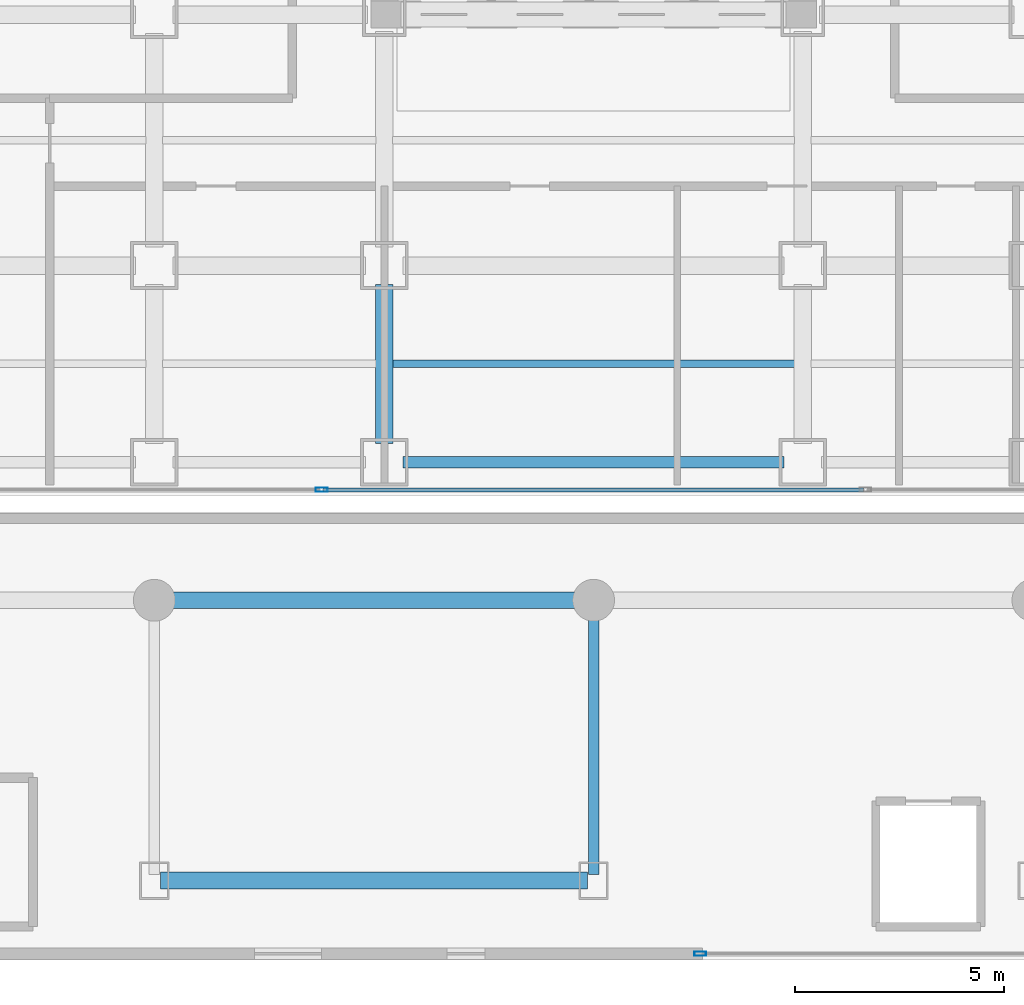
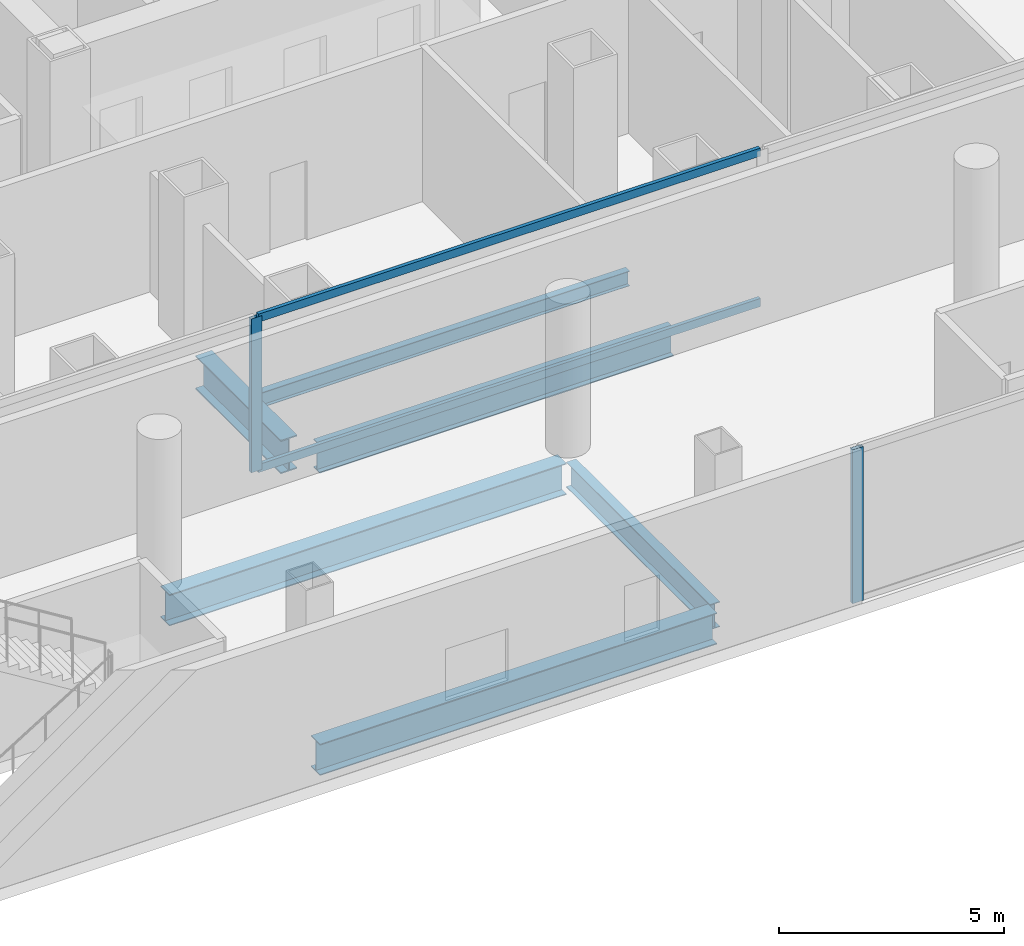
# One storey, part 7 of 27: 6 beams, 4 members, 2 elements without a shape of their own.
"""IFC4 building model written with IfcOpenShell, lengths in metres."""

import ifcopenshell
import ifcopenshell.guid

model = None  # the IFC model being written
_history = None  # IfcOwnerHistory: only IFC2X3 demands one
_inside = {}  # id of a spatial element -> (the spatial element, [elements in it])
_under = {}  # id of a project, library or spatial element -> (it, [spatial elements below it])
_declared = {}  # id of a project -> (the project, [libraries it declares])
_typed = {}  # id of a type object -> (the type object, [elements of that type])
_made_of = {}  # id of a material, layer set ... -> (it, [elements and type objects made of it])


def new_model(schema):
    """Start an empty IFC model of exactly this schema.

    Asked for "IFC4X3", IfcOpenShell would pick the latest addendum, in which some entities
    have other attributes; the version numbers below select the first issue.
    IFC2X3 requires an IfcOwnerHistory on every rooted entity: one is made here for all.
    """
    global model, _history
    if schema == "IFC4X3":
        model = ifcopenshell.file(schema_version=(4, 3, 0, 0))
    else:
        model = ifcopenshell.file(schema=schema)
    _inside.clear()
    _under.clear()
    _declared.clear()
    _typed.clear()
    _made_of.clear()
    _history = None
    if model.schema == "IFC2X3":
        org = make("IfcOrganization", Name="unknown")
        user = make(
            "IfcPersonAndOrganization",
            ThePerson=make("IfcPerson", FamilyName="unknown"),
            TheOrganization=org,
        )
        app = make(
            "IfcApplication",
            ApplicationDeveloper=org,
            Version="unknown",
            ApplicationFullName="unknown",
            ApplicationIdentifier="unknown",
        )
        _history = make(
            "IfcOwnerHistory",
            OwningUser=user,
            OwningApplication=app,
            ChangeAction="ADDED",
            CreationDate=0,
        )
    return model


def make(cls, **values):
    """One entity of the class cls with the attributes given. An attribute that is None is left unset."""
    return model.create_entity(
        cls, **{name: value for name, value in values.items() if value is not None}
    )


def rooted(cls, **values):
    """An entity with a GlobalId (a new one), such as an element, a storey or a relation."""
    return make(cls, GlobalId=ifcopenshell.guid.new(), OwnerHistory=_history, **values)


def si_unit(unit_type, name, prefix=None):
    """IfcSIUnit, for example si_unit("LENGTHUNIT", "METRE", prefix="MILLI")."""
    return make("IfcSIUnit", UnitType=unit_type, Prefix=prefix, Name=name)


def assignment(units):
    """IfcUnitAssignment: the units of a project."""
    return None if units is None else make("IfcUnitAssignment", Units=units)


def point(xyz):
    """IfcCartesianPoint."""
    return None if xyz is None else make("IfcCartesianPoint", Coordinates=xyz)


def direction(xyz):
    """IfcDirection."""
    return None if xyz is None else make("IfcDirection", DirectionRatios=xyz)


def frame(location, z_axis=None, x_axis=None):
    """IfcAxis2Placement3D, a coordinate frame: its origin and axes. An axis left out is left unset."""
    return make(
        "IfcAxis2Placement3D",
        Location=point(location),
        Axis=direction(z_axis),
        RefDirection=direction(x_axis),
    )


def frame_2d(location, x_axis=None):
    """IfcAxis2Placement2D, a coordinate frame in the plane: its origin and x axis."""
    return make(
        "IfcAxis2Placement2D", Location=point(location), RefDirection=direction(x_axis)
    )


def origin():
    """The frame at (0, 0, 0) with its axes left unset."""
    return frame((0.0, 0.0, 0.0))


def origin_2d():
    """The frame at (0, 0) in the plane with its x axis left unset."""
    return frame_2d((0.0, 0.0))


def place(relative_to, where):
    """IfcLocalPlacement: puts the frame where relative to a parent placement (None: the world)."""
    return make(
        "IfcLocalPlacement", PlacementRelTo=relative_to, RelativePlacement=where
    )


def context(
    kind, dimensions, precision=None, world=None, true_north=None, identifier=None
):
    """IfcGeometricRepresentationContext, for example the 3D "Model" context."""
    return make(
        "IfcGeometricRepresentationContext",
        ContextIdentifier=identifier,
        ContextType=kind,
        CoordinateSpaceDimension=dimensions,
        Precision=precision,
        WorldCoordinateSystem=world,
        TrueNorth=true_north,
    )


def subcontext(parent, identifier, kind, view, scale=None):
    """IfcGeometricRepresentationSubContext, for example "Body" below "Model"."""
    return make(
        "IfcGeometricRepresentationSubContext",
        ContextIdentifier=identifier,
        ContextType=kind,
        ParentContext=parent,
        TargetScale=scale,
        TargetView=view,
    )


def project(units=None, contexts=None):
    """IfcProject with its units and contexts."""
    return rooted(
        "IfcProject",
        Name="project",
        RepresentationContexts=contexts,
        UnitsInContext=assignment(units),
    )


def spatial(cls, under=None, at=None, **own):
    """A site, building, storey or space (cls), placed at a placement, below another one or the project."""
    s = rooted(cls, ObjectPlacement=at, **own)
    if under is not None:
        _under.setdefault(under.id(), (under, []))[1].append(s)
    return s


def profile(cls, at=None, kind="AREA", **sizes):
    """A parametric profile (cls). Its sizes go by their IFC names, for example OverallWidth=200.0."""
    return make(cls, ProfileType=kind, Position=at, **sizes)


def hollow_rectangle(**sizes):
    """IfcRectangleHollowProfileDef."""
    return profile("IfcRectangleHollowProfileDef", **sizes)


def i_section(**sizes):
    """IfcIShapeProfileDef."""
    return profile("IfcIShapeProfileDef", **sizes)


def extrude(swept, where, along, depth):
    """IfcExtrudedAreaSolid: the profile swept, set in the frame where, extruded along a direction by depth."""
    return make(
        "IfcExtrudedAreaSolid",
        SweptArea=swept,
        Position=where,
        ExtrudedDirection=direction(along),
        Depth=depth,
    )


def shape(context_of_items, identifier, shape_type, items):
    """IfcShapeRepresentation: the items that make up one representation, for example the "Body"."""
    return make(
        "IfcShapeRepresentation",
        ContextOfItems=context_of_items,
        RepresentationIdentifier=identifier,
        RepresentationType=shape_type,
        Items=items,
    )


def source(mapping_origin, context_of_items, identifier, shape_type, items):
    """IfcRepresentationMap: a shape defined once, which mapped items show again and again."""
    return make(
        "IfcRepresentationMap",
        MappingOrigin=mapping_origin,
        MappedRepresentation=shape(context_of_items, identifier, shape_type, items),
    )


def transform(
    local_origin,
    x_axis=None,
    y_axis=None,
    z_axis=None,
    scale=None,
    scale2=None,
    scale3=None,
    uniform=True,
):
    """IfcCartesianTransformationOperator3D, or its non-uniform kind. x_axis, y_axis, z_axis: its Axis1, 2, 3."""
    if uniform:
        return make(
            "IfcCartesianTransformationOperator3D",
            Axis1=direction(x_axis),
            Axis2=direction(y_axis),
            LocalOrigin=point(local_origin),
            Scale=scale,
            Axis3=direction(z_axis),
        )
    return make(
        "IfcCartesianTransformationOperator3DnonUniform",
        Axis1=direction(x_axis),
        Axis2=direction(y_axis),
        LocalOrigin=point(local_origin),
        Scale=scale,
        Axis3=direction(z_axis),
        Scale2=scale2,
        Scale3=scale3,
    )


def mapped(mapping_source, mapping_target):
    """IfcMappedItem: shows the shape of a source again, moved by a transform."""
    return make(
        "IfcMappedItem", MappingSource=mapping_source, MappingTarget=mapping_target
    )


def material(Name=None, Category=None):
    """IfcMaterial."""
    return make("IfcMaterial", Name=Name, Category=Category)


def layer(
    of_material, thickness, ventilated=None, Name=None, Category=None, Priority=None
):
    """IfcMaterialLayer: one layer of a wall or slab, of a material (None: an air gap)."""
    return make(
        "IfcMaterialLayer",
        Material=of_material,
        LayerThickness=thickness,
        IsVentilated=ventilated,
        Name=Name,
        Category=Category,
        Priority=Priority,
    )


def layer_set(layers, Name=None):
    """IfcMaterialLayerSet."""
    return make("IfcMaterialLayerSet", MaterialLayers=layers, LayerSetName=Name)


def material_profile(
    of_material, cross_section, Name=None, Category=None, Priority=None
):
    """IfcMaterialProfile: a cross section and its material."""
    return make(
        "IfcMaterialProfile",
        Name=Name,
        Material=of_material,
        Profile=cross_section,
        Priority=Priority,
        Category=Category,
    )


def profile_set(profiles, Name=None, composite=None):
    """IfcMaterialProfileSet."""
    return make(
        "IfcMaterialProfileSet",
        Name=Name,
        MaterialProfiles=profiles,
        CompositeProfile=composite,
    )


def made_of(thing, what):
    """Note that an element or type object is made of a material, layer set ...; save() writes the relation."""
    if what is not None:
        _made_of.setdefault(what.id(), (what, []))[1].append(thing)
    return thing


def type_object(cls, material=None, **own):
    """A type object (cls), such as IfcWallType, which elements share."""
    return made_of(rooted(cls, **own), material)


def element(
    cls,
    number,
    at=None,
    inside=None,
    cuts=None,
    type_object=None,
    material=None,
    context=None,
    identifier="Body",
    shape_type=None,
    held_by="IfcProductDefinitionShape",
    body=None,
    shapes=None,
    **own,
):
    """One element of the class cls, such as IfcWall. Its Tag is "e" and its number.

    at: its placement. inside: the storey or other place that contains it. cuts: it is an
    opening in that element (IfcRelVoidsElement). A single representation is given by context,
    identifier, shape_type and body (its items); several are given by shapes. held_by: the class
    of the entity that holds the representations. save() writes the other relations.
    """
    e = rooted(cls, Tag="e%d" % number, ObjectPlacement=at, **own)
    if body is not None:
        shapes = [shape(context, identifier, shape_type, body)]
    if shapes is not None:
        e.Representation = make(held_by, Representations=shapes)
    if inside is not None:
        _inside.setdefault(inside.id(), (inside, []))[1].append(e)
    if cuts is not None:
        rooted(
            "IfcRelVoidsElement", RelatingBuildingElement=cuts, RelatedOpeningElement=e
        )
    if type_object is not None:
        _typed.setdefault(type_object.id(), (type_object, []))[1].append(e)
    return made_of(e, material)


def aggregate(whole, parts):
    """IfcRelAggregates: a whole, such as a stair, and the parts it consists of."""
    return rooted("IfcRelAggregates", RelatingObject=whole, RelatedObjects=parts)


def save(model, path):
    """Write the relations noted so far, then the file.

    IfcRelAggregates (storeys below a building ...), IfcRelContainedInSpatialStructure (elements
    in a storey), IfcRelDefinesByType, IfcRelAssociatesMaterial and IfcRelDeclares: one each for
    every whole, place, type object, material and project.
    """
    for whole, parts in _under.values():
        aggregate(whole, parts)
    for where, things in _inside.values():
        rooted(
            "IfcRelContainedInSpatialStructure",
            RelatedElements=things,
            RelatingStructure=where,
        )
    for kind, things in _typed.values():
        rooted("IfcRelDefinesByType", RelatedObjects=things, RelatingType=kind)
    for what, things in _made_of.values():
        rooted("IfcRelAssociatesMaterial", RelatedObjects=things, RelatingMaterial=what)
    for by, libraries in _declared.values():
        rooted("IfcRelDeclares", RelatingContext=by, RelatedDefinitions=libraries)
    model.write(path)


model = new_model("IFC4")

# Units and contexts
model_context = context("Model", 3, precision=1e-05, world=origin(), true_north=direction((0.0, 1.0)))
body_context = subcontext(model_context, "Body", "Model", "MODEL_VIEW")
ifc_project = project(units=[si_unit("LENGTHUNIT", "METRE"), si_unit("AREAUNIT", "SQUARE_METRE"), si_unit("VOLUMEUNIT", "CUBIC_METRE"), si_unit("PLANEANGLEUNIT", "RADIAN"), si_unit("MASSUNIT", "GRAM", prefix="KILO")], contexts=[model_context])

# Site, building, storey
site_placement = place(None, origin())
site = spatial("IfcSite", under=ifc_project, at=site_placement, CompositionType="ELEMENT")
building_placement = place(site_placement, origin())
building = spatial("IfcBuilding", under=site, at=building_placement, Name="Kolveth Station Tower", CompositionType="ELEMENT")
storey_placement = place(building_placement, frame((0.0, 0.0, 13.5)))
storey = spatial("IfcBuildingStorey", under=building, at=storey_placement, Name="L03", CompositionType="ELEMENT", Elevation=13.5)

# Beams
ifc_material_1 = material(Name="Steel S355", Category="steel")
ifc_material_profile_1 = material_profile(ifc_material_1, i_section(OverallWidth=0.26904296875, OverallDepth=0.77490234375, WebThickness=0.01708984375, FlangeThickness=0.0283203125, at=origin_2d()), Name="W760x220")
ifc_profile_set_1 = profile_set([ifc_material_profile_1], Name="Steel S355")
beam_type_1 = type_object("IfcBeamType", Name="Beam_SP1", PredefinedType="SPANDREL", material=ifc_profile_set_1)
shared_shape_1 = source(origin(), body_context, "Body", "SweptSolid", [
    extrude(i_section(OverallWidth=0.26904296875, OverallDepth=0.77490234375, WebThickness=0.01708984375, FlangeThickness=0.0283203125, at=origin_2d()), origin(), (0.0, 0.0, 1.0), 9.10009765625),
])
beam_1_placement = place(storey_placement, frame((18.949951171875, 0.800048828125, -0.70751953125), z_axis=(1.0, 0.0, 0.0), x_axis=(0.0, 1.0, 0.0)))
element("IfcBeam", 1, at=beam_1_placement, inside=storey, type_object=beam_type_1, Name="L03 Perimeter Spandrel BM-L03-PS-3", PredefinedType="SPANDREL", context=body_context, shape_type="MappedRepresentation", body=[
    mapped(shared_shape_1, transform((0.0, 0.0, 0.0), x_axis=(1.0, 0.0, 0.0), y_axis=(0.0, 1.0, 0.0), z_axis=(0.0, 0.0, 1.0), scale=1.0)),
])
ifc_material_profile_2 = material_profile(ifc_material_1, i_section(OverallWidth=0.41796875, OverallDepth=0.912109375, WebThickness=0.019287109375, FlangeThickness=0.031982421875, at=origin_2d()), Name="W920x342")
ifc_profile_set_2 = profile_set([ifc_material_profile_2], Name="Steel S355")
beam_type_2 = type_object("IfcBeamType", Name="Beam_B1", PredefinedType="BEAM", material=ifc_profile_set_2)
shared_shape_2 = source(origin(), body_context, "Body", "SweptSolid", [
    extrude(i_section(OverallWidth=0.41796875, OverallDepth=0.912109375, WebThickness=0.019287109375, FlangeThickness=0.031982421875, at=origin_2d()), origin(), (0.0, 0.0, 1.0), 3.800048828125),
])
beam_2_placement = place(storey_placement, frame((18.5, 1.25, -0.77587890625), z_axis=(0.0, 1.0, 0.0), x_axis=(-1.0, 0.0, 0.0)))
element("IfcBeam", 2, at=beam_2_placement, inside=storey, type_object=beam_type_2, Name="L03 Primary Girder BM-L03-GX185-1", PredefinedType="BEAM", context=body_context, shape_type="MappedRepresentation", body=[
    mapped(shared_shape_2, transform((0.0, 0.0, 0.0), x_axis=(1.0, 0.0, 0.0), y_axis=(0.0, 1.0, 0.0), z_axis=(0.0, 0.0, 1.0), scale=1.0)),
])
ifc_material_profile_3 = material_profile(ifc_material_1, i_section(OverallWidth=0.177978515625, OverallDepth=0.406982421875, WebThickness=0.0078125, FlangeThickness=0.0126953125, at=origin_2d()), Name="W410x60")
ifc_profile_set_3 = profile_set([ifc_material_profile_3], Name="Steel S355")
beam_type_3 = type_object("IfcBeamType", Name="Beam_J1", PredefinedType="JOIST", material=ifc_profile_set_3)
shared_shape_3 = source(origin(), body_context, "Body", "SweptSolid", [
    extrude(i_section(OverallWidth=0.177978515625, OverallDepth=0.406982421875, WebThickness=0.0078125, FlangeThickness=0.0126953125, at=origin_2d()), origin(), (0.0, 0.0, 1.0), 9.60986328125),
])
beam_3_placement = place(storey_placement, frame((18.695068359375, 3.14990234375, -0.5234375), z_axis=(1.0, 0.0, 0.0), x_axis=(0.0, 1.0, 0.0)))
element("IfcBeam", 3, at=beam_3_placement, inside=storey, type_object=beam_type_3, Name="L03 Secondary Joist JST-L03-4-1", PredefinedType="JOIST", context=body_context, shape_type="MappedRepresentation", body=[
    mapped(shared_shape_3, transform((0.0, 0.0, 0.0), x_axis=(1.0, 0.0, 0.0), y_axis=(0.0, 1.0, 0.0), z_axis=(0.0, 0.0, 1.0), scale=1.0)),
])
ifc_material_profile_4 = material_profile(ifc_material_1, i_section(OverallWidth=0.40087890625, OverallDepth=0.85107421875, WebThickness=0.01611328125, FlangeThickness=0.025390625, at=origin_2d()), Name="W840x226")
ifc_profile_set_4 = profile_set([ifc_material_profile_4], Name="Steel S355")
beam_type_4 = type_object("IfcBeamType", Name="Beam_B2", PredefinedType="BEAM", material=ifc_profile_set_4)
shared_shape_4 = source(origin(), body_context, "Body", "SweptSolid", [
    extrude(i_section(OverallWidth=0.40087890625, OverallDepth=0.85107421875, WebThickness=0.01611328125, FlangeThickness=0.025390625, at=origin_2d()), origin(), (0.0, 0.0, 1.0), 10.2001953125),
])
for number, where, z_axis, x_axis, name in (
    (4, (13.14990234375, -9.199951171875, -0.74560546875), (1.0, 0.0, 0.0), (0.0, 1.0, 0.0), "L03 Station Concourse Girder SBM-L03-SL1-2"),
    (5, (13.14990234375, -2.5, -0.74560546875), (1.0, 0.0, 0.0), (0.0, 1.0, 0.0), "L03 Station Concourse Girder SBM-L03-SL2-2"),
):
    element("IfcBeam", number, at=place(storey_placement, frame(where, z_axis=z_axis, x_axis=x_axis)), inside=storey, type_object=beam_type_4, Name=name, PredefinedType="BEAM", context=body_context, shape_type="MappedRepresentation", body=[
        mapped(shared_shape_4, transform((0.0, 0.0, 0.0), x_axis=(1.0, 0.0, 0.0), y_axis=(0.0, 1.0, 0.0), z_axis=(0.0, 0.0, 1.0), scale=1.0)),
    ])
ifc_material_profile_5 = material_profile(ifc_material_1, i_section(OverallWidth=0.25390625, OverallDepth=0.68798828125, WebThickness=0.01318359375, FlangeThickness=0.02099609375, at=origin_2d()), Name="W690x152")
ifc_profile_set_5 = profile_set([ifc_material_profile_5], Name="Steel S355")
beam_type_5 = type_object("IfcBeamType", Name="Beam_B4", PredefinedType="BEAM", material=ifc_profile_set_5)
shared_shape_5 = source(origin(), body_context, "Body", "SweptSolid", [
    extrude(i_section(OverallWidth=0.25390625, OverallDepth=0.68798828125, WebThickness=0.01318359375, FlangeThickness=0.02099609375, at=origin_2d()), origin(), (0.0, 0.0, 1.0), 6.400146484375),
])
beam_4_placement = place(storey_placement, frame((23.5, -9.050048828125, -0.6640625), z_axis=(0.0, 1.0, 0.0), x_axis=(-1.0, 0.0, 0.0)))
element("IfcBeam", 6, at=beam_4_placement, inside=storey, type_object=beam_type_5, Name="L03 Station Transverse Beam SBM-L03-ST-3", PredefinedType="BEAM", context=body_context, shape_type="MappedRepresentation", body=[
    mapped(shared_shape_5, transform((0.0, 0.0, 0.0), x_axis=(1.0, 0.0, 0.0), y_axis=(0.0, 1.0, 0.0), z_axis=(0.0, 0.0, 1.0), scale=1.0)),
])

# Curtain wall, member
ifc_material_2 = material(Name="Black anodized aluminium 6063-T6 and clear station glass", Category="aluminium")
ifc_layer = layer(ifc_material_2, 0.239990234375)
ifc_layer_set = layer_set([ifc_layer], Name="Black anodized aluminium 6063-T6 and clear station glass")
curtain_wall_type = type_object("IfcCurtainWallType", Name="CurtainWall_CW-ST", PredefinedType="NOTDEFINED", material=ifc_layer_set)
curtain_wall_1_placement = place(storey_placement, origin())
curtain_wall_1 = element("IfcCurtainWall", 7, at=curtain_wall_1_placement, inside=storey, type_object=curtain_wall_type, Name="L03 Tower Podium South Storefront Curtain Wall", PredefinedType="NOTDEFINED")
ifc_material_3 = material(Name="Black anodized aluminium 6063-T6", Category="aluminium")
ifc_material_profile_6 = material_profile(ifc_material_3, hollow_rectangle(XDim=0.10009765625, YDim=0.280029296875, WallThickness=0.0048828125, at=origin_2d()), Name="ALU-100x280x5")
ifc_profile_set_6 = profile_set([ifc_material_profile_6], Name="Black anodized aluminium 6063-T6")
member_type_1 = type_object("IfcMemberType", Name="Mullion_ML-ST", PredefinedType="MULLION", material=ifc_profile_set_6)
shared_shape_6 = source(origin(), body_context, "Body", "SweptSolid", [
    extrude(hollow_rectangle(XDim=0.10009765625, YDim=0.280029296875, WallThickness=0.0048828125, at=origin_2d()), origin(), (0.0, 0.0, 1.0), 4.179931640625),
])
member_1_placement = place(storey_placement, frame((17.0, 0.139892578125, 0.0), z_axis=(0.0, 0.0, 1.0), x_axis=(0.0, 1.0, 0.0)))
member_1 = element("IfcMember", 8, at=member_1_placement, type_object=member_type_1, Name="CW-ST mullion 2", PredefinedType="MULLION", context=body_context, shape_type="MappedRepresentation", body=[
    mapped(shared_shape_6, transform((0.0, 0.0, 0.0), x_axis=(1.0, 0.0, 0.0), y_axis=(0.0, 1.0, 0.0), z_axis=(0.0, 0.0, 1.0), scale=1.0)),
])

curtain_wall_2_placement = place(storey_placement, origin())
curtain_wall_2 = element("IfcCurtainWall", 9, at=curtain_wall_2_placement, inside=storey, type_object=curtain_wall_type, Name="L03 Station South Concourse Curtain Wall", PredefinedType="NOTDEFINED")
member_2_placement = place(storey_placement, frame((26.050048828125, -10.949951171875, 0.0), z_axis=(0.0, 0.0, 1.0), x_axis=(0.0, 1.0, 0.0)))
member_2 = element("IfcMember", 10, at=member_2_placement, type_object=member_type_1, Name="CW-ST mullion 1", PredefinedType="MULLION", context=body_context, shape_type="MappedRepresentation", body=[
    mapped(shared_shape_6, transform((0.0, 0.0, 0.0), x_axis=(1.0, 0.0, 0.0), y_axis=(0.0, 1.0, 0.0), z_axis=(0.0, 0.0, 1.0), scale=1.0)),
])
aggregate(curtain_wall_2, [member_2])

# Member
ifc_material_profile_7 = material_profile(ifc_material_3, hollow_rectangle(XDim=0.094970703125, YDim=0.219970703125, WallThickness=0.0048828125, at=origin_2d()), Name="ALU-95x220x5")
ifc_profile_set_7 = profile_set([ifc_material_profile_7], Name="Black anodized aluminium 6063-T6")
member_type_2 = type_object("IfcMemberType", Name="Transom_TR-ST", PredefinedType="USERDEFINED", material=ifc_profile_set_7)
shared_shape_7 = source(origin(), body_context, "Body", "SweptSolid", [
    extrude(hollow_rectangle(XDim=0.094970703125, YDim=0.219970703125, WallThickness=0.0048828125, at=origin_2d()), origin(), (0.0, 0.0, 1.0), 12.89990234375),
])
member_3_placement = place(storey_placement, frame((17.050048828125, 0.139892578125, 0.047607421875), z_axis=(1.0, 0.0, 0.0), x_axis=(0.0, 1.0, 0.0)))
member_3 = element("IfcMember", 11, at=member_3_placement, type_object=member_type_2, Name="CW-ST transom 2.1", ObjectType="TRANSOM", PredefinedType="USERDEFINED", context=body_context, shape_type="MappedRepresentation", body=[
    mapped(shared_shape_7, transform((0.0, 0.0, 0.0), x_axis=(1.0, 0.0, 0.0), y_axis=(0.0, 1.0, 0.0), z_axis=(0.0, 0.0, 1.0), scale=1.0)),
])

member_4_placement = place(storey_placement, frame((17.050048828125, 0.139892578125, 4.132568359375), z_axis=(1.0, 0.0, 0.0), x_axis=(0.0, 1.0, 0.0)))
member_4 = element("IfcMember", 12, at=member_4_placement, type_object=member_type_2, Name="CW-ST transom 2.2", ObjectType="TRANSOM", PredefinedType="USERDEFINED", context=body_context, shape_type="MappedRepresentation", body=[
    mapped(shared_shape_7, transform((0.0, 0.0, 0.0), x_axis=(1.0, 0.0, 0.0), y_axis=(0.0, 1.0, 0.0), z_axis=(0.0, 0.0, 1.0), scale=1.0)),
])

aggregate(curtain_wall_1, [member_1, member_3, member_4])

save(model, "model.ifc")
